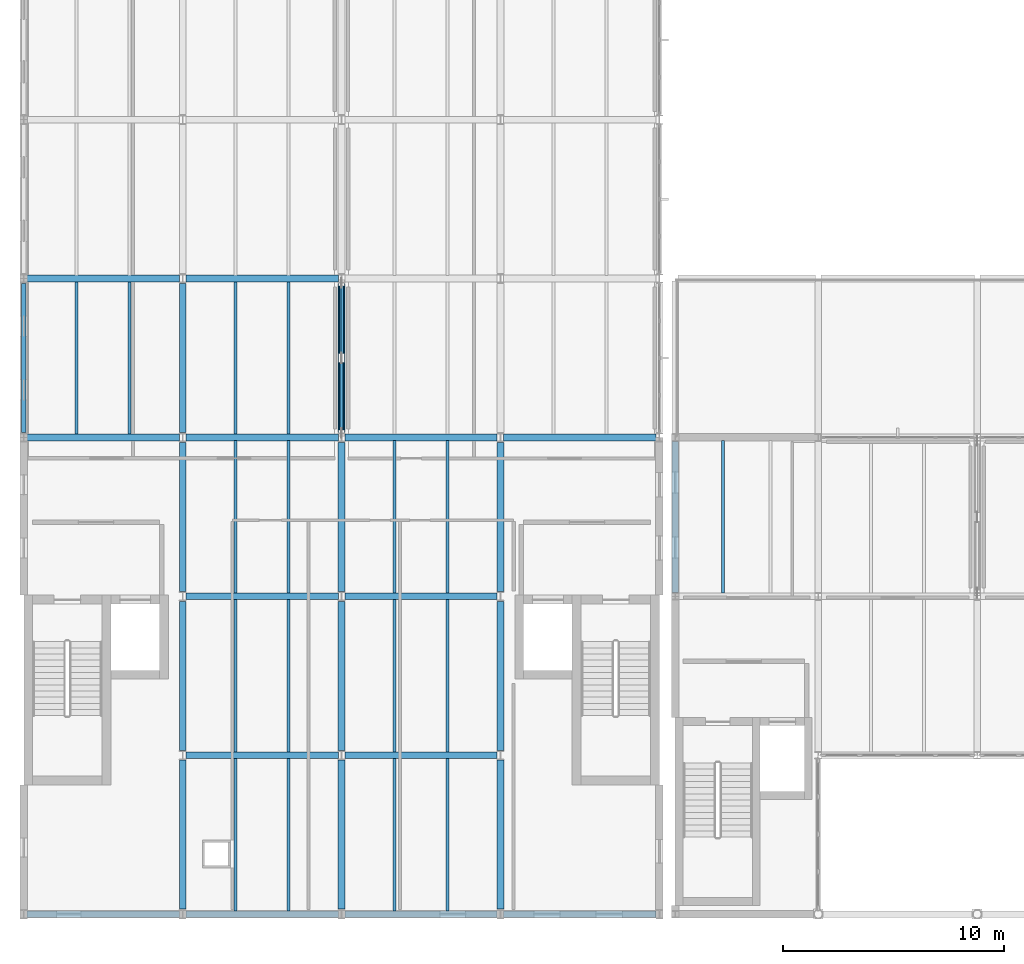
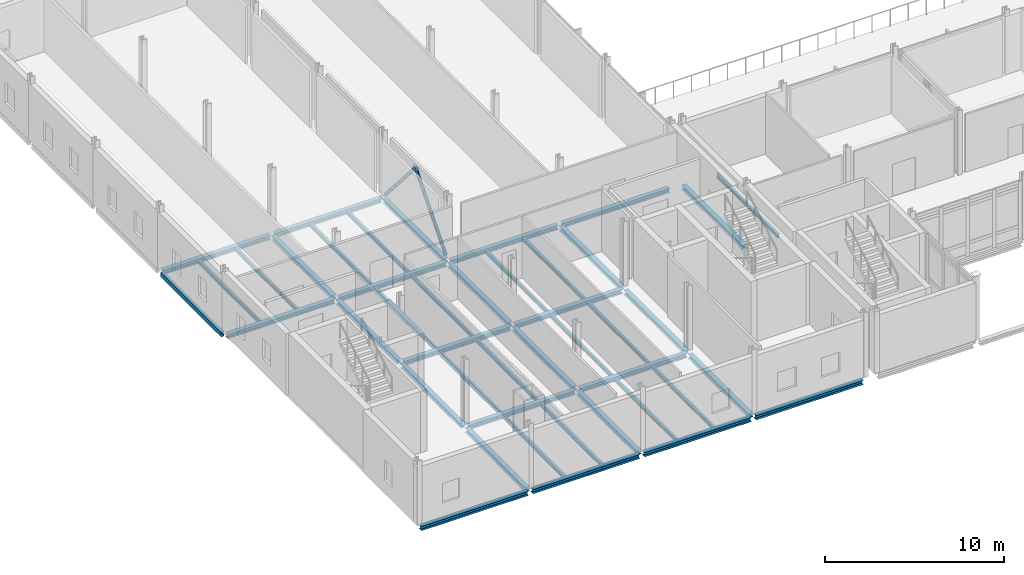
# One storey, part 7 of 53: 44 beams, 2 members.
"""IFC4 building model written with IfcOpenShell, lengths in metres."""

from ifc_helpers import new_model, si_unit, direction, frame, origin, origin_2d, place, context, subcontext, project, spatial, hollow_rectangle, hollow_circle, i_section, extrude, material, material_profile, profile_set, type_object, element, save


model = new_model("IFC4")

# Units and contexts
model_context = context("Model", 3, precision=1e-05, world=origin(), true_north=direction((0.0, 1.0)))
body_context = subcontext(model_context, "Body", "Model", "MODEL_VIEW")
ifc_project = project(units=[si_unit("LENGTHUNIT", "METRE"), si_unit("AREAUNIT", "SQUARE_METRE"), si_unit("VOLUMEUNIT", "CUBIC_METRE"), si_unit("PLANEANGLEUNIT", "RADIAN"), si_unit("MASSUNIT", "GRAM", prefix="KILO")], contexts=[model_context])

# Site, building, storey
site_placement = place(None, origin())
site = spatial("IfcSite", under=ifc_project, at=site_placement, CompositionType="ELEMENT")
building_placement = place(site_placement, origin())
building = spatial("IfcBuilding", under=site, at=building_placement, Name="Zarrinpeak Specialist Clinic", CompositionType="ELEMENT")
storey_placement = place(building_placement, frame((0.0, 0.0, 14.0)))
storey = spatial("IfcBuildingStorey", under=building, at=storey_placement, Name="L03", CompositionType="ELEMENT", Elevation=14.0)

# Beams
ifc_material = material(Name="Steel S355", Category="steel")
ifc_material_profile_1 = material_profile(ifc_material, i_section(OverallWidth=0.300048828125, OverallDepth=0.2900390625, WebThickness=0.008544921875, FlangeThickness=0.013916015625, FilletRadius=0.027099609375, at=origin_2d()), Name="HEA 300")
ifc_profile_set_1 = profile_set([ifc_material_profile_1], Name="Steel S355")
beam_type_1 = type_object("IfcBeamType", Name="BM-HEA300", PredefinedType="BEAM", material=ifc_profile_set_1)
for number, where, z_axis, x_axis, name in (
    (1, (0.14794921875, 0.0, -0.344970703125), (1.0, 0.0, 0.0), (0.0, 1.0, 0.0), "L03 Primary Floor Girder BM-L03-X1486"),
    (2, (7.347900390625, 0.0, -0.344970703125), (1.0, 0.0, 0.0), (0.0, 1.0, 0.0), "L03 Primary Floor Girder BM-L03-X1487"),
):
    element("IfcBeam", number, at=place(storey_placement, frame(where, z_axis=z_axis, x_axis=x_axis)), inside=storey, type_object=beam_type_1, Name=name, PredefinedType="BEAM", context=body_context, shape_type="SweptSolid", body=[
        extrude(i_section(OverallWidth=0.300048828125, OverallDepth=0.2900390625, WebThickness=0.008544921875, FlangeThickness=0.013916015625, FilletRadius=0.027099609375, at=origin_2d()), origin(), (0.0, 0.0, 1.0), 6.904052734375),
    ])
beam_1_placement = place(storey_placement, frame((14.548095703125, 0.0, -0.344970703125), z_axis=(1.0, 0.0, 0.0), x_axis=(0.0, 1.0, 0.0)))
element("IfcBeam", 3, at=beam_1_placement, inside=storey, type_object=beam_type_1, Name="L03 Primary Floor Girder BM-L03-X1488", PredefinedType="BEAM", context=body_context, shape_type="SweptSolid", body=[
    extrude(i_section(OverallWidth=0.300048828125, OverallDepth=0.2900390625, WebThickness=0.008544921875, FlangeThickness=0.013916015625, FilletRadius=0.027099609375, at=origin_2d()), origin(), (0.0, 0.0, 1.0), 6.90380859375),
])
for number, where, z_axis, x_axis, name in (
    (4, (21.748046875, 0.0, -0.344970703125), (1.0, 0.0, 0.0), (0.0, 1.0, 0.0), "L03 Primary Floor Girder BM-L03-X1489"),
    (5, (7.347900390625, 7.199951171875, -0.344970703125), (1.0, 0.0, 0.0), (0.0, 1.0, 0.0), "L03 Primary Floor Girder BM-L03-X1498"),
):
    element("IfcBeam", number, at=place(storey_placement, frame(where, z_axis=z_axis, x_axis=x_axis)), inside=storey, type_object=beam_type_1, Name=name, PredefinedType="BEAM", context=body_context, shape_type="SweptSolid", body=[
        extrude(i_section(OverallWidth=0.300048828125, OverallDepth=0.2900390625, WebThickness=0.008544921875, FlangeThickness=0.013916015625, FilletRadius=0.027099609375, at=origin_2d()), origin(), (0.0, 0.0, 1.0), 6.904052734375),
    ])
beam_2_placement = place(storey_placement, frame((14.548095703125, 7.199951171875, -0.344970703125), z_axis=(1.0, 0.0, 0.0), x_axis=(0.0, 1.0, 0.0)))
element("IfcBeam", 6, at=beam_2_placement, inside=storey, type_object=beam_type_1, Name="L03 Primary Floor Girder BM-L03-X1499", PredefinedType="BEAM", context=body_context, shape_type="SweptSolid", body=[
    extrude(i_section(OverallWidth=0.300048828125, OverallDepth=0.2900390625, WebThickness=0.008544921875, FlangeThickness=0.013916015625, FilletRadius=0.027099609375, at=origin_2d()), origin(), (0.0, 0.0, 1.0), 6.90380859375),
])
beam_3_placement = place(storey_placement, frame((7.347900390625, 14.39990234375, -0.344970703125), z_axis=(1.0, 0.0, 0.0), x_axis=(0.0, 1.0, 0.0)))
element("IfcBeam", 7, at=beam_3_placement, inside=storey, type_object=beam_type_1, Name="L03 Primary Floor Girder BM-L03-X1503", PredefinedType="BEAM", context=body_context, shape_type="SweptSolid", body=[
    extrude(i_section(OverallWidth=0.300048828125, OverallDepth=0.2900390625, WebThickness=0.008544921875, FlangeThickness=0.013916015625, FilletRadius=0.027099609375, at=origin_2d()), origin(), (0.0, 0.0, 1.0), 6.904052734375),
])
beam_4_placement = place(storey_placement, frame((14.548095703125, 14.39990234375, -0.344970703125), z_axis=(1.0, 0.0, 0.0), x_axis=(0.0, 1.0, 0.0)))
element("IfcBeam", 8, at=beam_4_placement, inside=storey, type_object=beam_type_1, Name="L03 Primary Floor Girder BM-L03-X1504", PredefinedType="BEAM", context=body_context, shape_type="SweptSolid", body=[
    extrude(i_section(OverallWidth=0.300048828125, OverallDepth=0.2900390625, WebThickness=0.008544921875, FlangeThickness=0.013916015625, FilletRadius=0.027099609375, at=origin_2d()), origin(), (0.0, 0.0, 1.0), 6.90380859375),
])
for number, where, z_axis, x_axis, name in (
    (9, (0.14794921875, 21.60009765625, -0.344970703125), (1.0, 0.0, 0.0), (0.0, 1.0, 0.0), "L03 Primary Floor Girder BM-L03-X1513"),
    (10, (7.347900390625, 21.60009765625, -0.344970703125), (1.0, 0.0, 0.0), (0.0, 1.0, 0.0), "L03 Primary Floor Girder BM-L03-X1514"),
):
    element("IfcBeam", number, at=place(storey_placement, frame(where, z_axis=z_axis, x_axis=x_axis)), inside=storey, type_object=beam_type_1, Name=name, PredefinedType="BEAM", context=body_context, shape_type="SweptSolid", body=[
        extrude(i_section(OverallWidth=0.300048828125, OverallDepth=0.2900390625, WebThickness=0.008544921875, FlangeThickness=0.013916015625, FilletRadius=0.027099609375, at=origin_2d()), origin(), (0.0, 0.0, 1.0), 6.904052734375),
    ])
beam_5_placement = place(storey_placement, frame((14.548095703125, 21.60009765625, -0.344970703125), z_axis=(1.0, 0.0, 0.0), x_axis=(0.0, 1.0, 0.0)))
element("IfcBeam", 11, at=beam_5_placement, inside=storey, type_object=beam_type_1, Name="L03 Primary Floor Girder BM-L03-X1515", PredefinedType="BEAM", context=body_context, shape_type="SweptSolid", body=[
    extrude(i_section(OverallWidth=0.300048828125, OverallDepth=0.2900390625, WebThickness=0.008544921875, FlangeThickness=0.013916015625, FilletRadius=0.027099609375, at=origin_2d()), origin(), (0.0, 0.0, 1.0), 6.90380859375),
])
for number, where, z_axis, x_axis, name in (
    (12, (21.748046875, 21.60009765625, -0.344970703125), (1.0, 0.0, 0.0), (0.0, 1.0, 0.0), "L03 Primary Floor Girder BM-L03-X1516"),
    (13, (0.14794921875, 28.800048828125, -0.344970703125), (1.0, 0.0, 0.0), (0.0, 1.0, 0.0), "L03 Primary Floor Girder BM-L03-X1525"),
    (14, (7.347900390625, 28.800048828125, -0.344970703125), (1.0, 0.0, 0.0), (0.0, 1.0, 0.0), "L03 Primary Floor Girder BM-L03-X1526"),
):
    element("IfcBeam", number, at=place(storey_placement, frame(where, z_axis=z_axis, x_axis=x_axis)), inside=storey, type_object=beam_type_1, Name=name, PredefinedType="BEAM", context=body_context, shape_type="SweptSolid", body=[
        extrude(i_section(OverallWidth=0.300048828125, OverallDepth=0.2900390625, WebThickness=0.008544921875, FlangeThickness=0.013916015625, FilletRadius=0.027099609375, at=origin_2d()), origin(), (0.0, 0.0, 1.0), 6.904052734375),
    ])
beam_6_placement = place(storey_placement, frame((7.199951171875, 0.222900390625, -0.344970703125), z_axis=(0.0, 1.0, 0.0), x_axis=(-1.0, 0.0, 0.0)))
element("IfcBeam", 15, at=beam_6_placement, inside=storey, type_object=beam_type_1, Name="L03 Primary Beam BM-L03-Y1600", PredefinedType="BEAM", context=body_context, shape_type="SweptSolid", body=[
    extrude(i_section(OverallWidth=0.300048828125, OverallDepth=0.2900390625, WebThickness=0.008544921875, FlangeThickness=0.013916015625, FilletRadius=0.027099609375, at=origin_2d()), origin(), (0.0, 0.0, 1.0), 6.754150390625),
])
for number, where, z_axis, x_axis, name in (
    (16, (7.199951171875, 7.423095703125, -0.344970703125), (0.0, 1.0, 0.0), (-1.0, 0.0, 0.0), "L03 Primary Beam BM-L03-Y1601"),
    (17, (7.199951171875, 14.623046875, -0.344970703125), (0.0, 1.0, 0.0), (-1.0, 0.0, 0.0), "L03 Primary Beam BM-L03-Y1602"),
    (18, (7.199951171875, 21.822998046875, -0.344970703125), (0.0, 1.0, 0.0), (-1.0, 0.0, 0.0), "L03 Primary Beam BM-L03-Y1603"),
):
    element("IfcBeam", number, at=place(storey_placement, frame(where, z_axis=z_axis, x_axis=x_axis)), inside=storey, type_object=beam_type_1, Name=name, PredefinedType="BEAM", context=body_context, shape_type="SweptSolid", body=[
        extrude(i_section(OverallWidth=0.300048828125, OverallDepth=0.2900390625, WebThickness=0.008544921875, FlangeThickness=0.013916015625, FilletRadius=0.027099609375, at=origin_2d()), origin(), (0.0, 0.0, 1.0), 6.75390625),
    ])
beam_7_placement = place(storey_placement, frame((14.39990234375, 0.222900390625, -0.344970703125), z_axis=(0.0, 1.0, 0.0), x_axis=(-1.0, 0.0, 0.0)))
element("IfcBeam", 19, at=beam_7_placement, inside=storey, type_object=beam_type_1, Name="L03 Primary Beam BM-L03-Y1612", PredefinedType="BEAM", context=body_context, shape_type="SweptSolid", body=[
    extrude(i_section(OverallWidth=0.300048828125, OverallDepth=0.2900390625, WebThickness=0.008544921875, FlangeThickness=0.013916015625, FilletRadius=0.027099609375, at=origin_2d()), origin(), (0.0, 0.0, 1.0), 6.754150390625),
])
for number, where, z_axis, x_axis, name in (
    (20, (14.39990234375, 7.423095703125, -0.344970703125), (0.0, 1.0, 0.0), (-1.0, 0.0, 0.0), "L03 Primary Beam BM-L03-Y1613"),
    (21, (14.39990234375, 14.623046875, -0.344970703125), (0.0, 1.0, 0.0), (-1.0, 0.0, 0.0), "L03 Primary Beam BM-L03-Y1614"),
    (22, (14.39990234375, 21.822998046875, -0.344970703125), (0.0, 1.0, 0.0), (-1.0, 0.0, 0.0), "L03 Primary Beam BM-L03-Y1615"),
):
    element("IfcBeam", number, at=place(storey_placement, frame(where, z_axis=z_axis, x_axis=x_axis)), inside=storey, type_object=beam_type_1, Name=name, PredefinedType="BEAM", context=body_context, shape_type="SweptSolid", body=[
        extrude(i_section(OverallWidth=0.300048828125, OverallDepth=0.2900390625, WebThickness=0.008544921875, FlangeThickness=0.013916015625, FilletRadius=0.027099609375, at=origin_2d()), origin(), (0.0, 0.0, 1.0), 6.75390625),
    ])
beam_8_placement = place(storey_placement, frame((21.60009765625, 0.222900390625, -0.344970703125), z_axis=(0.0, 1.0, 0.0), x_axis=(-1.0, 0.0, 0.0)))
element("IfcBeam", 23, at=beam_8_placement, inside=storey, type_object=beam_type_1, Name="L03 Primary Beam BM-L03-Y1624", PredefinedType="BEAM", context=body_context, shape_type="SweptSolid", body=[
    extrude(i_section(OverallWidth=0.300048828125, OverallDepth=0.2900390625, WebThickness=0.008544921875, FlangeThickness=0.013916015625, FilletRadius=0.027099609375, at=origin_2d()), origin(), (0.0, 0.0, 1.0), 6.754150390625),
])
for number, where, z_axis, x_axis, name in (
    (24, (21.60009765625, 7.423095703125, -0.344970703125), (0.0, 1.0, 0.0), (-1.0, 0.0, 0.0), "L03 Primary Beam BM-L03-Y1625"),
    (25, (21.60009765625, 14.623046875, -0.344970703125), (0.0, 1.0, 0.0), (-1.0, 0.0, 0.0), "L03 Primary Beam BM-L03-Y1626"),
):
    element("IfcBeam", number, at=place(storey_placement, frame(where, z_axis=z_axis, x_axis=x_axis)), inside=storey, type_object=beam_type_1, Name=name, PredefinedType="BEAM", context=body_context, shape_type="SweptSolid", body=[
        extrude(i_section(OverallWidth=0.300048828125, OverallDepth=0.2900390625, WebThickness=0.008544921875, FlangeThickness=0.013916015625, FilletRadius=0.027099609375, at=origin_2d()), origin(), (0.0, 0.0, 1.0), 6.75390625),
    ])
beam_9_placement = place(storey_placement, frame((29.52001953125, 14.577880859375, -0.344970703125), z_axis=(0.0, 1.0, 0.0), x_axis=(-1.0, 0.0, 0.0)))
element("IfcBeam", 26, at=beam_9_placement, inside=storey, type_object=beam_type_1, Name="L03 Primary Beam BM-L03-Y1643", PredefinedType="BEAM", context=body_context, shape_type="SweptSolid", body=[
    extrude(i_section(OverallWidth=0.300048828125, OverallDepth=0.2900390625, WebThickness=0.008544921875, FlangeThickness=0.013916015625, FilletRadius=0.027099609375, at=origin_2d()), origin(), (0.0, 0.0, 1.0), 6.84423828125),
])
ifc_material_profile_2 = material_profile(ifc_material, i_section(OverallWidth=0.135009765625, OverallDepth=0.27001953125, WebThickness=0.006591796875, FlangeThickness=0.01025390625, FilletRadius=0.014892578125, at=origin_2d()), Name="IPE 270")
ifc_profile_set_2 = profile_set([ifc_material_profile_2], Name="Steel S355")
beam_type_2 = type_object("IfcBeamType", Name="BM-JST270", PredefinedType="JOIST", material=ifc_profile_set_2)
for number, where, z_axis, x_axis, name in (
    (27, (2.39990234375, 21.748046875, -0.3349609375), (0.0, 1.0, 0.0), (-1.0, 0.0, 0.0), "L03 Composite Floor Joist JST-L03-1693"),
    (28, (4.800048828125, 21.748046875, -0.3349609375), (0.0, 1.0, 0.0), (-1.0, 0.0, 0.0), "L03 Composite Floor Joist JST-L03-1694"),
    (29, (9.60009765625, 0.14794921875, -0.3349609375), (0.0, 1.0, 0.0), (-1.0, 0.0, 0.0), "L03 Composite Floor Joist JST-L03-1701"),
    (30, (12.0, 0.14794921875, -0.3349609375), (0.0, 1.0, 0.0), (-1.0, 0.0, 0.0), "L03 Composite Floor Joist JST-L03-1702"),
    (31, (9.60009765625, 7.347900390625, -0.3349609375), (0.0, 1.0, 0.0), (-1.0, 0.0, 0.0), "L03 Composite Floor Joist JST-L03-1703"),
    (32, (12.0, 7.347900390625, -0.3349609375), (0.0, 1.0, 0.0), (-1.0, 0.0, 0.0), "L03 Composite Floor Joist JST-L03-1704"),
):
    element("IfcBeam", number, at=place(storey_placement, frame(where, z_axis=z_axis, x_axis=x_axis)), inside=storey, type_object=beam_type_2, Name=name, PredefinedType="JOIST", context=body_context, shape_type="SweptSolid", body=[
        extrude(i_section(OverallWidth=0.135009765625, OverallDepth=0.27001953125, WebThickness=0.006591796875, FlangeThickness=0.01025390625, FilletRadius=0.014892578125, at=origin_2d()), origin(), (0.0, 0.0, 1.0), 6.904052734375),
    ])
for number, where, z_axis, x_axis, name in (
    (33, (9.60009765625, 14.548095703125, -0.3349609375), (0.0, 1.0, 0.0), (-1.0, 0.0, 0.0), "L03 Composite Floor Joist JST-L03-1705"),
    (34, (12.0, 14.548095703125, -0.3349609375), (0.0, 1.0, 0.0), (-1.0, 0.0, 0.0), "L03 Composite Floor Joist JST-L03-1706"),
):
    element("IfcBeam", number, at=place(storey_placement, frame(where, z_axis=z_axis, x_axis=x_axis)), inside=storey, type_object=beam_type_2, Name=name, PredefinedType="JOIST", context=body_context, shape_type="SweptSolid", body=[
        extrude(i_section(OverallWidth=0.135009765625, OverallDepth=0.27001953125, WebThickness=0.006591796875, FlangeThickness=0.01025390625, FilletRadius=0.014892578125, at=origin_2d()), origin(), (0.0, 0.0, 1.0), 6.90380859375),
    ])
for number, where, z_axis, x_axis, name in (
    (35, (9.60009765625, 21.748046875, -0.3349609375), (0.0, 1.0, 0.0), (-1.0, 0.0, 0.0), "L03 Composite Floor Joist JST-L03-1707"),
    (36, (12.0, 21.748046875, -0.3349609375), (0.0, 1.0, 0.0), (-1.0, 0.0, 0.0), "L03 Composite Floor Joist JST-L03-1708"),
    (37, (16.800048828125, 0.14794921875, -0.3349609375), (0.0, 1.0, 0.0), (-1.0, 0.0, 0.0), "L03 Composite Floor Joist JST-L03-1715"),
    (38, (19.199951171875, 0.14794921875, -0.3349609375), (0.0, 1.0, 0.0), (-1.0, 0.0, 0.0), "L03 Composite Floor Joist JST-L03-1716"),
    (39, (16.800048828125, 7.347900390625, -0.3349609375), (0.0, 1.0, 0.0), (-1.0, 0.0, 0.0), "L03 Composite Floor Joist JST-L03-1717"),
    (40, (19.199951171875, 7.347900390625, -0.3349609375), (0.0, 1.0, 0.0), (-1.0, 0.0, 0.0), "L03 Composite Floor Joist JST-L03-1718"),
):
    element("IfcBeam", number, at=place(storey_placement, frame(where, z_axis=z_axis, x_axis=x_axis)), inside=storey, type_object=beam_type_2, Name=name, PredefinedType="JOIST", context=body_context, shape_type="SweptSolid", body=[
        extrude(i_section(OverallWidth=0.135009765625, OverallDepth=0.27001953125, WebThickness=0.006591796875, FlangeThickness=0.01025390625, FilletRadius=0.014892578125, at=origin_2d()), origin(), (0.0, 0.0, 1.0), 6.904052734375),
    ])
for number, where, z_axis, x_axis, name in (
    (41, (16.800048828125, 14.548095703125, -0.3349609375), (0.0, 1.0, 0.0), (-1.0, 0.0, 0.0), "L03 Composite Floor Joist JST-L03-1719"),
    (42, (19.199951171875, 14.548095703125, -0.3349609375), (0.0, 1.0, 0.0), (-1.0, 0.0, 0.0), "L03 Composite Floor Joist JST-L03-1720"),
    (43, (31.679931640625, 14.548095703125, -0.3349609375), (0.0, 1.0, 0.0), (-1.0, 0.0, 0.0), "L03 Composite Floor Joist JST-L03-1737"),
):
    element("IfcBeam", number, at=place(storey_placement, frame(where, z_axis=z_axis, x_axis=x_axis)), inside=storey, type_object=beam_type_2, Name=name, PredefinedType="JOIST", context=body_context, shape_type="SweptSolid", body=[
        extrude(i_section(OverallWidth=0.135009765625, OverallDepth=0.27001953125, WebThickness=0.006591796875, FlangeThickness=0.01025390625, FilletRadius=0.014892578125, at=origin_2d()), origin(), (0.0, 0.0, 1.0), 6.90380859375),
    ])
ifc_material_profile_3 = material_profile(ifc_material, hollow_rectangle(XDim=0.199951171875, YDim=0.300048828125, WallThickness=0.012451171875, at=origin_2d()), Name="RHS 300x200x12.5")
ifc_profile_set_3 = profile_set([ifc_material_profile_3], Name="Steel S355")
beam_type_3 = type_object("IfcBeamType", Name="BM-SP300", PredefinedType="SPANDREL", material=ifc_profile_set_3)
beam_10_placement = place(storey_placement, frame((0.0, 21.822998046875, -0.35009765625), z_axis=(0.0, 1.0, 0.0), x_axis=(-1.0, 0.0, 0.0)))
element("IfcBeam", 44, at=beam_10_placement, inside=storey, type_object=beam_type_3, Name="L03 Perimeter Spandrel Beam BM-L03-Y1593", PredefinedType="SPANDREL", context=body_context, shape_type="SweptSolid", body=[
    extrude(hollow_rectangle(XDim=0.199951171875, YDim=0.300048828125, WallThickness=0.012451171875, at=origin_2d()), origin(), (0.0, 0.0, 1.0), 6.75390625),
])

# Members
ifc_material_profile_4 = material_profile(ifc_material, hollow_circle(Radius=0.109619140625, WallThickness=0.010009765625, at=origin_2d()), Name="CHS 219.1x10.0")
ifc_profile_set_4 = profile_set([ifc_material_profile_4], Name="Steel S355")
member_type = type_object("IfcMemberType", Name="MB-BR219", PredefinedType="BRACE", material=ifc_profile_set_4)
member_1_placement = place(storey_placement, frame((14.39990234375, 21.800048828125, 0.0048828125), z_axis=(0.0, 0.656643210932, 0.7542013614), x_axis=(-1.0, 0.0, 0.0)))
element("IfcMember", 45, at=member_1_placement, inside=storey, type_object=member_type, Name="V1 L03 Seismic Concentric Brace CBF-007", PredefinedType="BRACE", context=body_context, shape_type="SweptSolid", body=[
    extrude(hollow_circle(Radius=0.109619140625, WallThickness=0.010009765625, at=origin_2d()), origin(), (0.0, 0.0, 1.0), 5.177734375),
])
member_2_placement = place(storey_placement, frame((14.39990234375, 28.60009765625, 0.0048828125), z_axis=(0.0, -0.656670030854, 0.754178009874), x_axis=(1.0, 0.0, 0.0)))
element("IfcMember", 46, at=member_2_placement, inside=storey, type_object=member_type, Name="V1 L03 Seismic Concentric Brace CBF-008", PredefinedType="BRACE", context=body_context, shape_type="SweptSolid", body=[
    extrude(hollow_circle(Radius=0.109619140625, WallThickness=0.010009765625, at=origin_2d()), origin(), (0.0, 0.0, 1.0), 5.177978515625),
])

save(model, "model.ifc")
